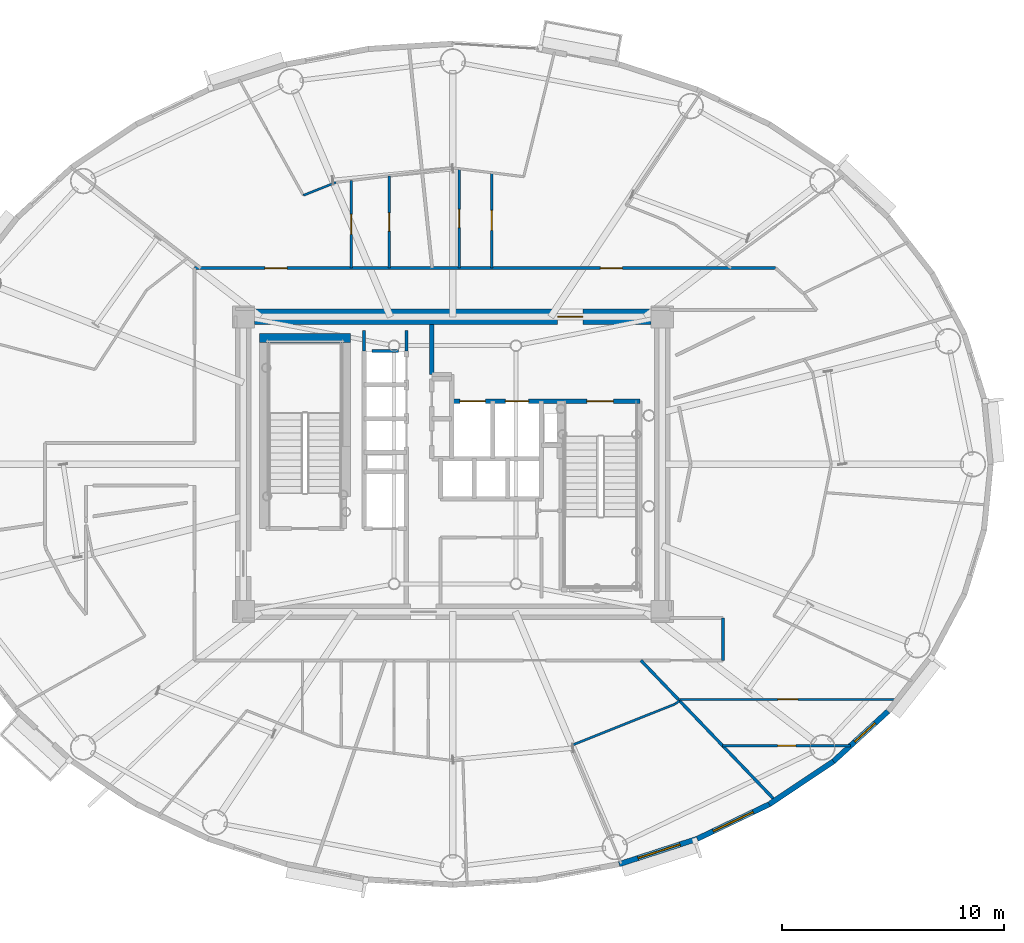
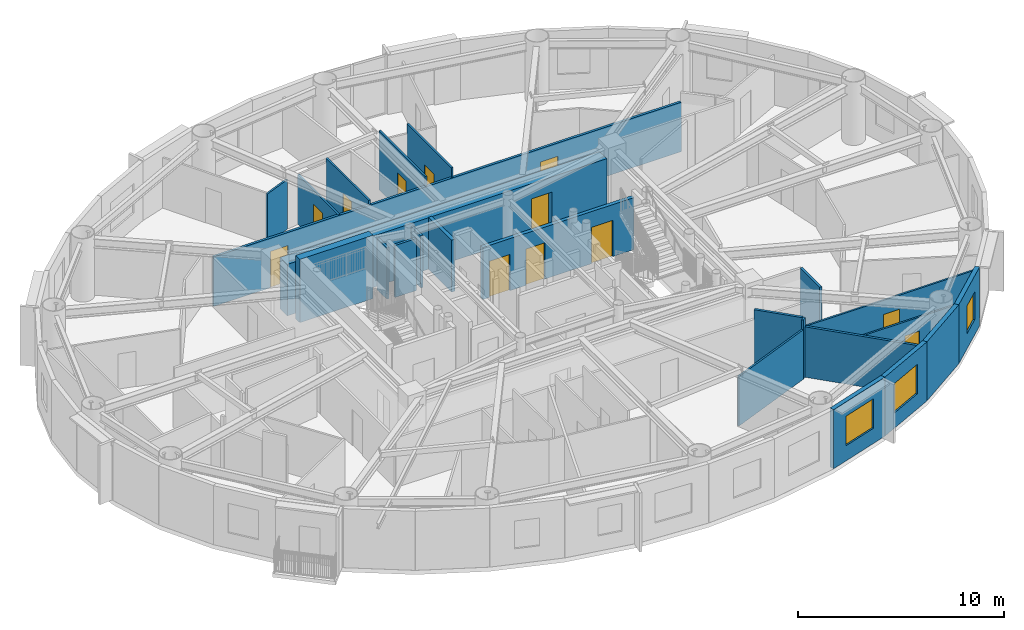
# One storey, part 11 of 20: 24 walls, 12 doors, 3 windows, 15 openings.
"""IFC4 building model written with IfcOpenShell, lengths in metres."""

from ifc_helpers import new_model, si_unit, direction, frame, frame_2d, origin, origin_2d, place, context, subcontext, project, spatial, rectangle, extrude, source, transform, mapped, material, layer, layer_set, type_object, element, fill, save


model = new_model("IFC4")

# Units and contexts
model_context = context("Model", 3, precision=1e-05, world=origin(), true_north=direction((0.0, 1.0)))
body_context = subcontext(model_context, "Body", "Model", "MODEL_VIEW")
ifc_project = project(units=[si_unit("LENGTHUNIT", "METRE"), si_unit("AREAUNIT", "SQUARE_METRE"), si_unit("VOLUMEUNIT", "CUBIC_METRE"), si_unit("PLANEANGLEUNIT", "RADIAN"), si_unit("MASSUNIT", "GRAM", prefix="KILO")], contexts=[model_context])

# Site, building, storey
site_placement = place(None, origin())
site = spatial("IfcSite", under=ifc_project, at=site_placement, CompositionType="ELEMENT")
building_placement = place(site_placement, origin())
building = spatial("IfcBuilding", under=site, at=building_placement, Name="Linh Dai School and Residence Tower", CompositionType="ELEMENT")
storey_placement = place(building_placement, frame((0.0, 0.0, 232.800048828125)))
storey = spatial("IfcBuildingStorey", under=building, at=storey_placement, Name="L57", CompositionType="ELEMENT", Elevation=232.800048828125)

# Wall, opening, window
ifc_material_1 = material(Name="Precast Concrete B45 (C35/45)", Category="concrete")
ifc_layer_1 = layer(ifc_material_1, 0.239990234375)
ifc_layer_set_1 = layer_set([ifc_layer_1], Name="Precast Concrete B45 (C35/45)")
wall_type_1 = type_object("IfcWallType", Name="EW-TC-240", PredefinedType="SOLIDWALL", material=ifc_layer_set_1)
wall_1_placement = place(storey_placement, frame((47.031005859375, 10.093505859375, 0.0), z_axis=(0.0, 0.0, 1.0), x_axis=(-0.951210789182, -0.308541787354, 0.0)))
wall_1 = element("IfcWall", 1, at=wall_1_placement, inside=storey, type_object=wall_type_1, Name="L57 Terracotta Exterior Wall 33", PredefinedType="SOLIDWALL", context=body_context, shape_type="SweptSolid", body=[
    extrude(rectangle(XDim=3.702392578125, YDim=0.239990234375, at=frame_2d((1.85107421875, 0.0))), origin(), (0.0, 0.0, 1.0), 3.5),
])
opening_1_placement = place(wall_1_placement, frame((0.81298828125, 0.0, 0.89990234375)))
opening_1 = element("IfcOpeningElement", 2, at=opening_1_placement, cuts=wall_1, Name="Opening W1", PredefinedType="OPENING", context=body_context, shape_type="SweptSolid", body=[
    extrude(rectangle(XDim=2.0, YDim=1.75, at=origin_2d()), frame((1.0, 0.1298828125, 0.875), z_axis=(0.0, -1.0, 0.0), x_axis=(1.0, 0.0, 0.0)), (0.0, 0.0, 1.0), 0.260009765625),
])
ifc_material_2 = material(Name="Double Low-E Insulated Glazing", Category="glass")
window_type_1 = type_object("IfcWindowType", Name="WN-RES-2000x1750", PartitioningType="DOUBLE_PANEL_VERTICAL", PredefinedType="WINDOW", material=ifc_material_2)
shared_shape_1 = source(origin(), body_context, "Body", "SweptSolid", [
    extrude(rectangle(XDim=2.0, YDim=1.75, at=origin_2d()), frame((1.0, 0.030029296875, 0.875), z_axis=(0.0, -1.0, 0.0), x_axis=(1.0, 0.0, 0.0)), (0.0, 0.0, 1.0), 0.06005859375),
])
window_1_placement = place(opening_1_placement, origin())
window_1 = element("IfcWindow", 3, at=window_1_placement, inside=storey, type_object=window_type_1, Name="L57 Exterior Window 33.1", OverallHeight=1.75, OverallWidth=2.0, PartitioningType="DOUBLE_PANEL_VERTICAL", PredefinedType="WINDOW", context=body_context, shape_type="MappedRepresentation", body=[
    mapped(shared_shape_1, transform((0.0, 0.0, 0.0), x_axis=(1.0, 0.0, 0.0), y_axis=(0.0, 1.0, 0.0), z_axis=(0.0, 0.0, 1.0), scale=1.0)),
])
fill(opening_1, window_1)

wall_2_placement = place(storey_placement, frame((50.280029296875, 11.65234375, 0.0), z_axis=(0.0, 0.0, 1.0), x_axis=(-0.901598104751, -0.432574684313, 0.0)))
wall_2 = element("IfcWall", 4, at=wall_2_placement, inside=storey, type_object=wall_type_1, Name="L57 Terracotta Exterior Wall 34", PredefinedType="SOLIDWALL", context=body_context, shape_type="SweptSolid", body=[
    extrude(rectangle(XDim=3.603515625, YDim=0.239990234375, at=frame_2d((1.8017578125, 0.0))), origin(), (0.0, 0.0, 1.0), 3.5),
])
opening_2_placement = place(wall_2_placement, frame((0.802001953125, 0.0, 0.89990234375)))
opening_2 = element("IfcOpeningElement", 5, at=opening_2_placement, cuts=wall_2, Name="Opening W1", PredefinedType="OPENING", context=body_context, shape_type="SweptSolid", body=[
    extrude(rectangle(XDim=2.0, YDim=1.75, at=origin_2d()), frame((1.0, 0.1298828125, 0.875), z_axis=(0.0, -1.0, 0.0), x_axis=(1.0, 0.0, 0.0)), (0.0, 0.0, 1.0), 0.260009765625),
])
window_2_placement = place(opening_2_placement, origin())
window_2 = element("IfcWindow", 6, at=window_2_placement, inside=storey, type_object=window_type_1, Name="L57 Exterior Window 34.1", OverallHeight=1.75, OverallWidth=2.0, PartitioningType="DOUBLE_PANEL_VERTICAL", PredefinedType="WINDOW", context=body_context, shape_type="MappedRepresentation", body=[
    mapped(shared_shape_1, transform((0.0, 0.0, 0.0), x_axis=(1.0, 0.0, 0.0), y_axis=(0.0, 1.0, 0.0), z_axis=(0.0, 0.0, 1.0), scale=1.0)),
])
fill(opening_2, window_2)

# Wall
wall_3_placement = place(storey_placement, frame((53.17626953125, 13.589111328125, 0.0), z_axis=(0.0, 0.0, 1.0), x_axis=(-0.831262496074, -0.555880079352, 0.0)))
element("IfcWall", 7, at=wall_3_placement, inside=storey, type_object=wall_type_1, Name="L57 Terracotta Exterior Wall 35", PredefinedType="SOLIDWALL", context=body_context, shape_type="SweptSolid", body=[
    extrude(rectangle(XDim=3.484130859375, YDim=0.239990234375, at=frame_2d((1.7421875, 0.0))), origin(), (0.0, 0.0, 1.0), 3.5),
])

# Wall, opening, window
wall_4_placement = place(storey_placement, frame((55.6484375, 15.85546875, 0.0), z_axis=(0.0, 0.0, 1.0), x_axis=(-0.737123922599, -0.675757591694, 0.0)))
wall_4 = element("IfcWall", 8, at=wall_4_placement, inside=storey, type_object=wall_type_1, Name="L57 Terracotta Exterior Wall 36", PredefinedType="SOLIDWALL", context=body_context, shape_type="SweptSolid", body=[
    extrude(rectangle(XDim=3.353759765625, YDim=0.239990234375, at=frame_2d((1.6767578125, 0.0))), origin(), (0.0, 0.0, 1.0), 3.5),
])
opening_3_placement = place(wall_4_placement, frame((0.791259765625, 0.0, 0.89990234375)))
opening_3 = element("IfcOpeningElement", 9, at=opening_3_placement, cuts=wall_4, Name="Opening W3", PredefinedType="OPENING", context=body_context, shape_type="SweptSolid", body=[
    extrude(rectangle(XDim=1.25, YDim=1.64990234375, at=origin_2d()), frame((0.625, 0.1298828125, 0.824951171875), z_axis=(0.0, -1.0, 0.0), x_axis=(1.0, 0.0, 0.0)), (0.0, 0.0, 1.0), 0.260009765625),
])
window_type_2 = type_object("IfcWindowType", Name="WN-RES-1250x1650", PartitioningType="SINGLE_PANEL", PredefinedType="WINDOW", material=ifc_material_2)
shared_shape_2 = source(origin(), body_context, "Body", "SweptSolid", [
    extrude(rectangle(XDim=1.25, YDim=1.64990234375, at=origin_2d()), frame((0.625, 0.030029296875, 0.824951171875), z_axis=(0.0, -1.0, 0.0), x_axis=(1.0, 0.0, 0.0)), (0.0, 0.0, 1.0), 0.06005859375),
])
window_3_placement = place(opening_3_placement, origin())
window_3 = element("IfcWindow", 10, at=window_3_placement, inside=storey, type_object=window_type_2, Name="L57 Exterior Window 36.1", OverallHeight=1.64990234375, OverallWidth=1.25, PartitioningType="SINGLE_PANEL", PredefinedType="WINDOW", context=body_context, shape_type="MappedRepresentation", body=[
    mapped(shared_shape_2, transform((0.0, 0.0, 0.0), x_axis=(1.0, 0.0, 0.0), y_axis=(0.0, 1.0, 0.0), z_axis=(0.0, 0.0, 1.0), scale=1.0)),
])
fill(opening_3, window_3)

# Wall, openings, doors
ifc_material_3 = material(Name="Autoclaved Aerated Concrete Blockwork", Category="masonry")
ifc_layer_2 = layer(ifc_material_3, 0.135009765625)
ifc_layer_set_2 = layer_set([ifc_layer_2], Name="Autoclaved Aerated Concrete Blockwork")
wall_type_2 = type_object("IfcWallType", Name="IW-CORR-135-EI90", PredefinedType="PARTITIONING", material=ifc_layer_set_2)
wall_5_placement = place(storey_placement, frame((24.35009765625, 35.85009765625, 0.0), z_axis=(0.0, 0.0, 1.0), x_axis=(1.0, 0.0, 0.0)))
wall_5 = element("IfcWall", 11, at=wall_5_placement, inside=storey, type_object=wall_type_2, Name="L57 Interior Partition Wall 023", PredefinedType="PARTITIONING", context=body_context, shape_type="SweptSolid", body=[
    extrude(rectangle(XDim=26.2177734375, YDim=0.135009765625, at=frame_2d((13.10888671875, 0.0))), origin(), (0.0, 0.0, 1.0), 2.93505859375),
])
opening_4_placement = place(wall_5_placement, frame((3.171630859375, 0.0, 0.0)))
opening_4 = element("IfcOpeningElement", 12, at=opening_4_placement, cuts=wall_5, Name="Opening D03", PredefinedType="OPENING", context=body_context, shape_type="SweptSolid", body=[
    extrude(rectangle(XDim=1.0, YDim=2.14990234375, at=origin_2d()), frame((0.5, 0.07763671875, 1.074951171875), z_axis=(0.0, -1.0, 0.0), x_axis=(1.0, 0.0, 0.0)), (0.0, 0.0, 1.0), 0.155029296875),
])
opening_5_placement = place(wall_5_placement, frame((18.30615234375, 0.0, 0.0)))
opening_5 = element("IfcOpeningElement", 13, at=opening_5_placement, cuts=wall_5, Name="Opening D03", PredefinedType="OPENING", context=body_context, shape_type="SweptSolid", body=[
    extrude(rectangle(XDim=1.0, YDim=2.14990234375, at=origin_2d()), frame((0.5, 0.07763671875, 1.074951171875), z_axis=(0.0, -1.0, 0.0), x_axis=(1.0, 0.0, 0.0)), (0.0, 0.0, 1.0), 0.155029296875),
])
ifc_material_4 = material(Name="Fire-Rated Solid Timber Entrance Door", Category="wood")
door_type_1 = type_object("IfcDoorType", Name="DR-FLAT-1000x2150-FD60S", OperationType="NOTDEFINED", PredefinedType="DOOR", material=ifc_material_4)
shared_shape_3 = source(origin(), body_context, "Body", "SweptSolid", [
    extrude(rectangle(XDim=1.0, YDim=2.14990234375, at=origin_2d()), frame((0.5, 0.02490234375, 1.074951171875), z_axis=(0.0, -1.0, 0.0), x_axis=(1.0, 0.0, 0.0)), (0.0, 0.0, 1.0), 0.050048828125),
])
door_1_placement = place(opening_4_placement, origin())
door_1 = element("IfcDoor", 14, at=door_1_placement, inside=storey, type_object=door_type_1, Name="L57 U5701 Apartment Entrance Door", OperationType="SINGLE_SWING_RIGHT", OverallHeight=2.14990234375, OverallWidth=1.0, PredefinedType="DOOR", context=body_context, shape_type="MappedRepresentation", body=[
    mapped(shared_shape_3, transform((0.0, 0.0, 0.0), x_axis=(1.0, 0.0, 0.0), y_axis=(0.0, 1.0, 0.0), z_axis=(0.0, 0.0, 1.0), scale=1.0)),
])
fill(opening_4, door_1)
door_2_placement = place(opening_5_placement, origin())
door_2 = element("IfcDoor", 15, at=door_2_placement, inside=storey, type_object=door_type_1, Name="L57 U5706 Apartment Entrance Door", OperationType="SINGLE_SWING_LEFT", OverallHeight=2.14990234375, OverallWidth=1.0, PredefinedType="DOOR", context=body_context, shape_type="MappedRepresentation", body=[
    mapped(shared_shape_3, transform((0.0, 0.0, 0.0), x_axis=(1.0, 0.0, 0.0), y_axis=(0.0, 1.0, 0.0), z_axis=(0.0, 0.0, 1.0), scale=1.0)),
])
fill(opening_5, door_2)

# Walls
wall_6_placement = place(storey_placement, frame((44.48486328125, 18.14990234375, 0.0), z_axis=(0.0, 0.0, 1.0), x_axis=(0.692102956666, -0.72179879286, 0.0)))
element("IfcWall", 16, at=wall_6_placement, inside=storey, type_object=wall_type_2, Name="L57 Interior Partition Wall 078", PredefinedType="PARTITIONING", context=body_context, shape_type="SweptSolid", body=[
    extrude(rectangle(XDim=2.441650390625, YDim=0.135009765625, at=frame_2d((1.220703125, 0.0))), origin(), (0.0, 0.0, 1.0), 3.5),
])
wall_7_placement = place(storey_placement, frame((46.22998046875, 16.329833984375, 0.0), z_axis=(0.0, 0.0, 1.0), x_axis=(0.69206255942, -0.721837525935, 0.0)))
element("IfcWall", 17, at=wall_7_placement, inside=storey, type_object=wall_type_2, Name="L57 Interior Partition Wall 084", PredefinedType="PARTITIONING", context=body_context, shape_type="SweptSolid", body=[
    extrude(rectangle(XDim=6.23974609375, YDim=0.135009765625, at=frame_2d((3.119873046875, 0.0))), origin(), (0.0, 0.0, 1.0), 2.98486328125),
])
wall_8_placement = place(storey_placement, frame((48.199951171875, 18.14990234375, 0.0), z_axis=(0.0, 0.0, 1.0), x_axis=(0.0, 1.0, 0.0)))
element("IfcWall", 18, at=wall_8_placement, inside=storey, type_object=wall_type_2, Name="L57 Interior Partition Wall 086", PredefinedType="PARTITIONING", context=body_context, shape_type="SweptSolid", body=[
    extrude(rectangle(XDim=1.900146484375, YDim=0.135009765625, at=frame_2d((0.9501953125, 0.0))), origin(), (0.0, 0.0, 1.0), 3.5),
])
wall_9_placement = place(storey_placement, frame((32.360107421875, 32.10009765625, 0.0), z_axis=(0.0, 0.0, 1.0), x_axis=(1.0, 0.0, 0.0)))
element("IfcWall", 19, at=wall_9_placement, inside=storey, type_object=wall_type_2, Name="L57 Interior Partition Wall 099", PredefinedType="PARTITIONING", context=body_context, shape_type="SweptSolid", body=[
    extrude(rectangle(XDim=1.179931640625, YDim=0.135009765625, at=frame_2d((0.58984375, 0.0))), origin(), (0.0, 0.0, 1.0), 3.0849609375),
])
wall_10_placement = place(storey_placement, frame((32.0, 33.0400390625, 0.0), z_axis=(0.0, 0.0, 1.0), x_axis=(0.0, -1.0, 0.0)))
element("IfcWall", 20, at=wall_10_placement, inside=storey, type_object=wall_type_2, Name="L57 Interior Partition Wall 101", PredefinedType="PARTITIONING", context=body_context, shape_type="SweptSolid", body=[
    extrude(rectangle(XDim=0.929931640625, YDim=0.135009765625, at=frame_2d((0.46484375, 0.0))), origin(), (0.0, 0.0, 1.0), 3.034912109375),
])
wall_11_placement = place(storey_placement, frame((33.89990234375, 32.110107421875, 0.0), z_axis=(0.0, 0.0, 1.0), x_axis=(0.0, 1.0, 0.0)))
element("IfcWall", 21, at=wall_11_placement, inside=storey, type_object=wall_type_2, Name="L57 Interior Partition Wall 103", PredefinedType="PARTITIONING", context=body_context, shape_type="SweptSolid", body=[
    extrude(rectangle(XDim=0.929931640625, YDim=0.135009765625, at=frame_2d((0.46484375, 0.0))), origin(), (0.0, 0.0, 1.0), 3.0849609375),
])
ifc_material_5 = material(Name="Concrete B45 (C35/45)", Category="concrete")
ifc_layer_3 = layer(ifc_material_5, 0.199951171875)
ifc_layer_set_3 = layer_set([ifc_layer_3], Name="Concrete B45 (C35/45)")
wall_type_3 = type_object("IfcWallType", Name="IW-SHAFT-200-EI120", PredefinedType="PARTITIONING", material=ifc_layer_set_3)
wall_12_placement = place(storey_placement, frame((35.050048828125, 31.050048828125, 0.0), z_axis=(0.0, 0.0, 1.0), x_axis=(0.0, 1.0, 0.0)))
element("IfcWall", 22, at=wall_12_placement, inside=storey, type_object=wall_type_3, Name="L57 Interior Partition Wall 050", PredefinedType="PARTITIONING", context=body_context, shape_type="SweptSolid", body=[
    extrude(rectangle(XDim=2.25, YDim=0.199951171875, at=frame_2d((1.125, 0.0))), origin(), (0.0, 0.0, 1.0), 3.0849609375),
])

# Wall, openings, doors
wall_13_placement = place(storey_placement, frame((35.949951171875, 29.85009765625, 0.0), z_axis=(0.0, 0.0, 1.0), x_axis=(1.0, 0.0, 0.0)))
wall_13 = element("IfcWall", 23, at=wall_13_placement, inside=storey, type_object=wall_type_3, Name="L57 Interior Partition Wall 057", PredefinedType="PARTITIONING", context=body_context, shape_type="SweptSolid", body=[
    extrude(rectangle(XDim=8.489990234375, YDim=0.199951171875, at=frame_2d((4.2451171875, 0.0))), origin(), (0.0, 0.0, 1.0), 3.0849609375),
])
opening_6_placement = place(wall_13_placement, frame((6.10009765625, 0.0, 0.0)))
opening_6 = element("IfcOpeningElement", 24, at=opening_6_placement, cuts=wall_13, Name="Opening D01", PredefinedType="OPENING", context=body_context, shape_type="SweptSolid", body=[
    extrude(rectangle(XDim=1.199951171875, YDim=2.14990234375, at=origin_2d()), frame((0.60009765625, 0.10986328125, 1.074951171875), z_axis=(0.0, -1.0, 0.0), x_axis=(1.0, 0.0, 0.0)), (0.0, 0.0, 1.0), 0.219970703125),
])
opening_7_placement = place(wall_13_placement, frame((0.3701171875, 0.0, 0.0)))
opening_7 = element("IfcOpeningElement", 25, at=opening_7_placement, cuts=wall_13, Name="Opening LD-FF1", PredefinedType="OPENING", context=body_context, shape_type="SweptSolid", body=[
    extrude(rectangle(XDim=1.14990234375, YDim=2.14990234375, at=origin_2d()), frame((0.574951171875, 0.10986328125, 1.074951171875), z_axis=(0.0, -1.0, 0.0), x_axis=(1.0, 0.0, 0.0)), (0.0, 0.0, 1.0), 0.219970703125),
])
opening_8_placement = place(wall_13_placement, frame((2.425048828125, 0.0, 0.0)))
opening_8 = element("IfcOpeningElement", 26, at=opening_8_placement, cuts=wall_13, Name="Opening LD-SV1", PredefinedType="OPENING", context=body_context, shape_type="SweptSolid", body=[
    extrude(rectangle(XDim=1.050048828125, YDim=2.14990234375, at=origin_2d()), frame((0.52490234375, 0.10986328125, 1.074951171875), z_axis=(0.0, -1.0, 0.0), x_axis=(1.0, 0.0, 0.0)), (0.0, 0.0, 1.0), 0.219970703125),
])
ifc_material_6 = material(Name="Fire-Rated Steel Door Leaf", Category="steel")
door_type_2 = type_object("IfcDoorType", Name="DR-STAIR-1200x2150-FD90S", OperationType="NOTDEFINED", PredefinedType="DOOR", material=ifc_material_6)
shared_shape_4 = source(origin(), body_context, "Body", "SweptSolid", [
    extrude(rectangle(XDim=1.199951171875, YDim=2.14990234375, at=origin_2d()), frame((0.60009765625, 0.02490234375, 1.074951171875), z_axis=(0.0, -1.0, 0.0), x_axis=(1.0, 0.0, 0.0)), (0.0, 0.0, 1.0), 0.050048828125),
])
door_3_placement = place(opening_6_placement, origin())
door_3 = element("IfcDoor", 27, at=door_3_placement, inside=storey, type_object=door_type_2, Name="L57 Core Smokeproof Exit Stair ST2 Door", OperationType="SINGLE_SWING_LEFT", OverallHeight=2.14990234375, OverallWidth=1.199951171875, PredefinedType="DOOR", context=body_context, shape_type="MappedRepresentation", body=[
    mapped(shared_shape_4, transform((0.0, 0.0, 0.0), x_axis=(1.0, 0.0, 0.0), y_axis=(0.0, 1.0, 0.0), z_axis=(0.0, 0.0, 1.0), scale=1.0)),
])
fill(opening_6, door_3)
ifc_material_7 = material(Name="Fire-Rated Stainless Steel Firefighting Lift Door", Category="steel")
door_type_3 = type_object("IfcDoorType", Name="DR-LD-FF-1150x2150-FD120", OperationType="DOUBLE_DOOR_SLIDING", PredefinedType="USERDEFINED", material=ifc_material_7)
shared_shape_5 = source(origin(), body_context, "Body", "SweptSolid", [
    extrude(rectangle(XDim=1.14990234375, YDim=2.14990234375, at=origin_2d()), frame((0.574951171875, 0.02490234375, 1.074951171875), z_axis=(0.0, -1.0, 0.0), x_axis=(1.0, 0.0, 0.0)), (0.0, 0.0, 1.0), 0.050048828125),
])
door_4_placement = place(opening_7_placement, origin())
door_4 = element("IfcDoor", 28, at=door_4_placement, inside=storey, type_object=door_type_3, Name="L57 Lift FF1 Sliding Landing Door", ObjectType="LANDING DOOR", OperationType="DOUBLE_DOOR_SLIDING", OverallHeight=2.14990234375, OverallWidth=1.14990234375, PredefinedType="USERDEFINED", context=body_context, shape_type="MappedRepresentation", body=[
    mapped(shared_shape_5, transform((0.0, 0.0, 0.0), x_axis=(1.0, 0.0, 0.0), y_axis=(0.0, 1.0, 0.0), z_axis=(0.0, 0.0, 1.0), scale=1.0)),
])
fill(opening_7, door_4)
ifc_material_8 = material(Name="Brushed Stainless Steel Lift Landing Door", Category="steel")
door_type_4 = type_object("IfcDoorType", Name="DR-LD-PASS-1050x2150", OperationType="DOUBLE_DOOR_SLIDING", PredefinedType="USERDEFINED", material=ifc_material_8)
shared_shape_6 = source(origin(), body_context, "Body", "SweptSolid", [
    extrude(rectangle(XDim=1.050048828125, YDim=2.14990234375, at=origin_2d()), frame((0.52490234375, 0.02490234375, 1.074951171875), z_axis=(0.0, -1.0, 0.0), x_axis=(1.0, 0.0, 0.0)), (0.0, 0.0, 1.0), 0.050048828125),
])
door_5_placement = place(opening_8_placement, origin())
door_5 = element("IfcDoor", 29, at=door_5_placement, inside=storey, type_object=door_type_4, Name="L57 Lift SV1 Sliding Landing Door", ObjectType="LANDING DOOR", OperationType="DOUBLE_DOOR_SLIDING", OverallHeight=2.14990234375, OverallWidth=1.050048828125, PredefinedType="USERDEFINED", context=body_context, shape_type="MappedRepresentation", body=[
    mapped(shared_shape_6, transform((0.0, 0.0, 0.0), x_axis=(1.0, 0.0, 0.0), y_axis=(0.0, 1.0, 0.0), z_axis=(0.0, 0.0, 1.0), scale=1.0)),
])
fill(opening_8, door_5)

# Wall
ifc_material_9 = material(Name="Gypsum Plasterboard Acoustic Stud Partition", Category="masonry")
ifc_layer_4 = layer(ifc_material_9, 0.10009765625)
ifc_layer_set_4 = layer_set([ifc_layer_4], Name="Gypsum Plasterboard Acoustic Stud Partition")
wall_type_4 = type_object("IfcWallType", Name="IW-UNIT-100", PredefinedType="PARTITIONING", material=ifc_layer_set_4)
wall_14_placement = place(storey_placement, frame((29.257080078125, 39.134521484375, 0.0), z_axis=(0.0, 0.0, 1.0), x_axis=(0.928796620339, 0.370589851515, 0.0)))
element("IfcWall", 30, at=wall_14_placement, inside=storey, type_object=wall_type_4, Name="L57 Interior Partition Wall 028", PredefinedType="PARTITIONING", context=body_context, shape_type="SweptSolid", body=[
    extrude(rectangle(XDim=1.5771484375, YDim=0.10009765625, at=frame_2d((0.78857421875, 0.0))), origin(), (0.0, 0.0, 1.0), 2.93505859375),
])

# Wall, opening, door
wall_15_placement = place(storey_placement, frame((31.42041015625, 35.85009765625, 0.0), z_axis=(0.0, 0.0, 1.0), x_axis=(0.0, 1.0, 0.0)))
wall_15 = element("IfcWall", 31, at=wall_15_placement, inside=storey, type_object=wall_type_4, Name="L57 Interior Partition Wall 034", PredefinedType="PARTITIONING", context=body_context, shape_type="SweptSolid", body=[
    extrude(rectangle(XDim=3.95556640625, YDim=0.10009765625, at=frame_2d((1.977783203125, 0.0))), origin(), (0.0, 0.0, 1.0), 2.93505859375),
])
opening_9_placement = place(wall_15_placement, frame((1.52783203125, 0.0, 0.0)))
opening_9 = element("IfcOpeningElement", 32, at=opening_9_placement, cuts=wall_15, Name="Opening D05", PredefinedType="OPENING", context=body_context, shape_type="SweptSolid", body=[
    extrude(rectangle(XDim=0.89990234375, YDim=2.10009765625, at=origin_2d()), frame((0.449951171875, 0.06005859375, 1.050048828125), z_axis=(0.0, -1.0, 0.0), x_axis=(1.0, 0.0, 0.0)), (0.0, 0.0, 1.0), 0.1201171875),
])
ifc_material_10 = material(Name="Engineered Timber Internal Door", Category="wood")
door_type_5 = type_object("IfcDoorType", Name="DR-INT-900x2100", OperationType="NOTDEFINED", PredefinedType="DOOR", material=ifc_material_10)
shared_shape_7 = source(origin(), body_context, "Body", "SweptSolid", [
    extrude(rectangle(XDim=0.89990234375, YDim=2.10009765625, at=origin_2d()), frame((0.449951171875, 0.02490234375, 1.050048828125), z_axis=(0.0, -1.0, 0.0), x_axis=(1.0, 0.0, 0.0)), (0.0, 0.0, 1.0), 0.050048828125),
])
door_6_placement = place(opening_9_placement, origin())
door_6 = element("IfcDoor", 33, at=door_6_placement, inside=storey, type_object=door_type_5, Name="L57 Apartment U5701 Kitchen Door", OperationType="SINGLE_SWING_RIGHT", OverallHeight=2.10009765625, OverallWidth=0.89990234375, PredefinedType="DOOR", context=body_context, shape_type="MappedRepresentation", body=[
    mapped(shared_shape_7, transform((0.0, 0.0, 0.0), x_axis=(1.0, 0.0, 0.0), y_axis=(0.0, 1.0, 0.0), z_axis=(0.0, 0.0, 1.0), scale=1.0)),
])
fill(opening_9, door_6)

wall_16_placement = place(storey_placement, frame((33.128662109375, 35.85009765625, 0.0), z_axis=(0.0, 0.0, 1.0), x_axis=(0.0, 1.0, 0.0)))
wall_16 = element("IfcWall", 34, at=wall_16_placement, inside=storey, type_object=wall_type_4, Name="L57 Interior Partition Wall 041", PredefinedType="PARTITIONING", context=body_context, shape_type="SweptSolid", body=[
    extrude(rectangle(XDim=4.167236328125, YDim=0.10009765625, at=frame_2d((2.08349609375, 0.0))), origin(), (0.0, 0.0, 1.0), 3.18505859375),
])
opening_10_placement = place(wall_16_placement, frame((1.673583984375, 0.0, 0.0)))
opening_10 = element("IfcOpeningElement", 35, at=opening_10_placement, cuts=wall_16, Name="Opening D06", PredefinedType="OPENING", context=body_context, shape_type="SweptSolid", body=[
    extrude(rectangle(XDim=0.820068359375, YDim=2.10009765625, at=origin_2d()), frame((0.41015625, 0.06005859375, 1.050048828125), z_axis=(0.0, -1.0, 0.0), x_axis=(1.0, 0.0, 0.0)), (0.0, 0.0, 1.0), 0.1201171875),
])
ifc_material_11 = material(Name="Moisture-Resistant Timber Bathroom Door", Category="wood")
door_type_6 = type_object("IfcDoorType", Name="DR-WET-820x2100", OperationType="NOTDEFINED", PredefinedType="DOOR", material=ifc_material_11)
shared_shape_8 = source(origin(), body_context, "Body", "SweptSolid", [
    extrude(rectangle(XDim=0.820068359375, YDim=2.10009765625, at=origin_2d()), frame((0.41015625, 0.02490234375, 1.050048828125), z_axis=(0.0, -1.0, 0.0), x_axis=(1.0, 0.0, 0.0)), (0.0, 0.0, 1.0), 0.050048828125),
])
door_7_placement = place(opening_10_placement, origin())
door_7 = element("IfcDoor", 36, at=door_7_placement, inside=storey, type_object=door_type_6, Name="L57 Apartment U5701 Bathroom 1 Door", OperationType="SINGLE_SWING_LEFT", OverallHeight=2.10009765625, OverallWidth=0.820068359375, PredefinedType="DOOR", context=body_context, shape_type="MappedRepresentation", body=[
    mapped(shared_shape_8, transform((0.0, 0.0, 0.0), x_axis=(1.0, 0.0, 0.0), y_axis=(0.0, 1.0, 0.0), z_axis=(0.0, 0.0, 1.0), scale=1.0)),
])
fill(opening_10, door_7)

wall_17_placement = place(storey_placement, frame((36.28564453125, 35.85009765625, 0.0), z_axis=(0.0, 0.0, 1.0), x_axis=(0.0, 1.0, 0.0)))
wall_17 = element("IfcWall", 37, at=wall_17_placement, inside=storey, type_object=wall_type_4, Name="L57 Interior Partition Wall 060", PredefinedType="PARTITIONING", context=body_context, shape_type="SweptSolid", body=[
    extrude(rectangle(XDim=4.488037109375, YDim=0.10009765625, at=frame_2d((2.244140625, 0.0))), origin(), (0.0, 0.0, 1.0), 3.5),
])
opening_11_placement = place(wall_17_placement, frame((1.833984375, 0.0, 0.0)))
opening_11 = element("IfcOpeningElement", 38, at=opening_11_placement, cuts=wall_17, Name="Opening D06", PredefinedType="OPENING", context=body_context, shape_type="SweptSolid", body=[
    extrude(rectangle(XDim=0.820068359375, YDim=2.10009765625, at=origin_2d()), frame((0.41015625, 0.06005859375, 1.050048828125), z_axis=(0.0, -1.0, 0.0), x_axis=(1.0, 0.0, 0.0)), (0.0, 0.0, 1.0), 0.1201171875),
])
door_8_placement = place(opening_11_placement, origin())
door_8 = element("IfcDoor", 39, at=door_8_placement, inside=storey, type_object=door_type_6, Name="L57 Apartment U5706 Bathroom 1 Door", OperationType="SINGLE_SWING_RIGHT", OverallHeight=2.10009765625, OverallWidth=0.820068359375, PredefinedType="DOOR", context=body_context, shape_type="MappedRepresentation", body=[
    mapped(shared_shape_8, transform((0.0, 0.0, 0.0), x_axis=(1.0, 0.0, 0.0), y_axis=(0.0, 1.0, 0.0), z_axis=(0.0, 0.0, 1.0), scale=1.0)),
])
fill(opening_11, door_8)

wall_18_placement = place(storey_placement, frame((37.7578125, 35.85009765625, 0.0), z_axis=(0.0, 0.0, 1.0), x_axis=(0.0, 1.0, 0.0)))
wall_18 = element("IfcWall", 40, at=wall_18_placement, inside=storey, type_object=wall_type_4, Name="L57 Interior Partition Wall 063", PredefinedType="PARTITIONING", context=body_context, shape_type="SweptSolid", body=[
    extrude(rectangle(XDim=4.305419921875, YDim=0.10009765625, at=frame_2d((2.15283203125, 0.0))), origin(), (0.0, 0.0, 1.0), 3.5),
])
opening_12_placement = place(wall_18_placement, frame((1.702880859375, 0.0, 0.0)))
opening_12 = element("IfcOpeningElement", 41, at=opening_12_placement, cuts=wall_18, Name="Opening D05", PredefinedType="OPENING", context=body_context, shape_type="SweptSolid", body=[
    extrude(rectangle(XDim=0.89990234375, YDim=2.10009765625, at=origin_2d()), frame((0.449951171875, 0.06005859375, 1.050048828125), z_axis=(0.0, -1.0, 0.0), x_axis=(1.0, 0.0, 0.0)), (0.0, 0.0, 1.0), 0.1201171875),
])
door_9_placement = place(opening_12_placement, origin())
door_9 = element("IfcDoor", 42, at=door_9_placement, inside=storey, type_object=door_type_5, Name="L57 Apartment U5706 Kitchen Door", OperationType="SINGLE_SWING_RIGHT", OverallHeight=2.10009765625, OverallWidth=0.89990234375, PredefinedType="DOOR", context=body_context, shape_type="MappedRepresentation", body=[
    mapped(shared_shape_7, transform((0.0, 0.0, 0.0), x_axis=(1.0, 0.0, 0.0), y_axis=(0.0, 1.0, 0.0), z_axis=(0.0, 0.0, 1.0), scale=1.0)),
])
fill(opening_12, door_9)

# Walls
wall_19_placement = place(storey_placement, frame((41.35205078125, 14.310546875, 0.0), z_axis=(0.0, 0.0, 1.0), x_axis=(0.928803297531, 0.370573116261, 0.0)))
element("IfcWall", 43, at=wall_19_placement, inside=storey, type_object=wall_type_4, Name="L57 Interior Partition Wall 074", PredefinedType="PARTITIONING", context=body_context, shape_type="SweptSolid", body=[
    extrude(rectangle(XDim=5.046630859375, YDim=0.10009765625, at=frame_2d((2.5234375, 0.0))), origin(), (0.0, 0.0, 1.0), 2.93505859375),
])
wall_20_placement = place(storey_placement, frame((46.039306640625, 16.1806640625, 0.0), z_axis=(0.0, 0.0, 1.0), x_axis=(0.787611392409, 0.616172292909, 0.0)))
element("IfcWall", 44, at=wall_20_placement, inside=storey, type_object=wall_type_4, Name="L57 Interior Partition Wall 081", PredefinedType="PARTITIONING", context=body_context, shape_type="SweptSolid", body=[
    extrude(rectangle(XDim=0.2421875, YDim=0.10009765625, at=frame_2d((0.12109375, 0.0))), origin(), (0.0, 0.0, 1.0), 3.5),
])

# Wall, opening, door
wall_21_placement = place(storey_placement, frame((46.1748046875, 16.387451171875, 0.0), z_axis=(0.0, 0.0, 1.0), x_axis=(1.0, 0.0, 0.0)))
wall_21 = element("IfcWall", 45, at=wall_21_placement, inside=storey, type_object=wall_type_4, Name="L57 Interior Partition Wall 083", PredefinedType="PARTITIONING", context=body_context, shape_type="SweptSolid", body=[
    extrude(rectangle(XDim=9.896240234375, YDim=0.10009765625, at=frame_2d((4.9482421875, 0.0))), origin(), (0.0, 0.0, 1.0), 2.93505859375),
])
opening_13_placement = place(wall_21_placement, frame((4.498046875, 0.0, 0.0)))
opening_13 = element("IfcOpeningElement", 46, at=opening_13_placement, cuts=wall_21, Name="Opening D05", PredefinedType="OPENING", context=body_context, shape_type="SweptSolid", body=[
    extrude(rectangle(XDim=0.89990234375, YDim=2.10009765625, at=origin_2d()), frame((0.449951171875, 0.06005859375, 1.050048828125), z_axis=(0.0, -1.0, 0.0), x_axis=(1.0, 0.0, 0.0)), (0.0, 0.0, 1.0), 0.1201171875),
])
door_10_placement = place(opening_13_placement, origin())
door_10 = element("IfcDoor", 47, at=door_10_placement, inside=storey, type_object=door_type_5, Name="L57 Apartment U5705 Kitchen Door", OperationType="SINGLE_SWING_LEFT", OverallHeight=2.10009765625, OverallWidth=0.89990234375, PredefinedType="DOOR", context=body_context, shape_type="MappedRepresentation", body=[
    mapped(shared_shape_7, transform((0.0, 0.0, 0.0), x_axis=(1.0, 0.0, 0.0), y_axis=(0.0, 1.0, 0.0), z_axis=(0.0, 0.0, 1.0), scale=1.0)),
])
fill(opening_13, door_10)

wall_22_placement = place(storey_placement, frame((48.179443359375, 14.296630859375, 0.0), z_axis=(0.0, 0.0, 1.0), x_axis=(1.0, 0.0, 0.0)))
wall_22 = element("IfcWall", 48, at=wall_22_placement, inside=storey, type_object=wall_type_4, Name="L57 Interior Partition Wall 085", PredefinedType="PARTITIONING", context=body_context, shape_type="SweptSolid", body=[
    extrude(rectangle(XDim=5.77587890625, YDim=0.10009765625, at=frame_2d((2.887939453125, 0.0))), origin(), (0.0, 0.0, 1.0), 2.93505859375),
])
opening_14_placement = place(wall_22_placement, frame((2.47802734375, 0.0, 0.0)))
opening_14 = element("IfcOpeningElement", 49, at=opening_14_placement, cuts=wall_22, Name="Opening D06", PredefinedType="OPENING", context=body_context, shape_type="SweptSolid", body=[
    extrude(rectangle(XDim=0.820068359375, YDim=2.10009765625, at=origin_2d()), frame((0.41015625, 0.06005859375, 1.050048828125), z_axis=(0.0, -1.0, 0.0), x_axis=(1.0, 0.0, 0.0)), (0.0, 0.0, 1.0), 0.1201171875),
])
door_11_placement = place(opening_14_placement, origin())
door_11 = element("IfcDoor", 50, at=door_11_placement, inside=storey, type_object=door_type_6, Name="L57 Apartment U5705 Bathroom 1 Door", OperationType="SINGLE_SWING_RIGHT", OverallHeight=2.10009765625, OverallWidth=0.820068359375, PredefinedType="DOOR", context=body_context, shape_type="MappedRepresentation", body=[
    mapped(shared_shape_8, transform((0.0, 0.0, 0.0), x_axis=(1.0, 0.0, 0.0), y_axis=(0.0, 1.0, 0.0), z_axis=(0.0, 0.0, 1.0), scale=1.0)),
])
fill(opening_14, door_11)

# Wall
ifc_layer_5 = layer(ifc_material_5, 0.39990234375)
ifc_layer_set_5 = layer_set([ifc_layer_5], Name="Concrete B45 (C35/45)")
wall_type_5 = type_object("IfcWallType", Name="WL-CORE400", PredefinedType="SHEAR", material=ifc_layer_set_5)
wall_23_placement = place(storey_placement, frame((27.280029296875, 32.699951171875, 0.0), z_axis=(0.0, 0.0, 1.0), x_axis=(1.0, 0.0, 0.0)))
element("IfcWall", 51, at=wall_23_placement, inside=storey, type_object=wall_type_5, Name="L57 Core Stair ST1 Bearing Wall N", PredefinedType="SHEAR", context=body_context, shape_type="SweptSolid", body=[
    extrude(rectangle(XDim=4.099853515625, YDim=0.39990234375, at=frame_2d((2.0498046875, 0.0))), origin(), (0.0, 0.0, 1.0), 3.75),
])

# Wall, opening, door
ifc_layer_6 = layer(ifc_material_5, 0.699951171875)
ifc_layer_set_6 = layer_set([ifc_layer_6], Name="Concrete B45 (C35/45)")
wall_type_6 = type_object("IfcWallType", Name="WL-CORE700", PredefinedType="SHEAR", material=ifc_layer_set_6)
wall_24_placement = place(storey_placement, frame((27.050048828125, 33.64990234375, 0.0), z_axis=(0.0, 0.0, 1.0), x_axis=(1.0, 0.0, 0.0)))
wall_24 = element("IfcWall", 52, at=wall_24_placement, inside=storey, type_object=wall_type_6, Name="L57 Central Core Shear Wall N", PredefinedType="SHEAR", context=body_context, shape_type="SweptSolid", body=[
    extrude(rectangle(XDim=17.89990234375, YDim=0.699951171875, at=frame_2d((8.949951171875, 0.0))), origin(), (0.0, 0.0, 1.0), 3.050048828125),
])
opening_15_placement = place(wall_24_placement, frame((13.675048828125, 0.0, 0.0)))
opening_15 = element("IfcOpeningElement", 53, at=opening_15_placement, cuts=wall_24, Name="Opening D02", PredefinedType="OPENING", context=body_context, shape_type="SweptSolid", body=[
    extrude(rectangle(XDim=1.14990234375, YDim=2.14990234375, at=origin_2d()), frame((0.574951171875, 0.35986328125, 1.074951171875), z_axis=(0.0, -1.0, 0.0), x_axis=(1.0, 0.0, 0.0)), (0.0, 0.0, 1.0), 0.719970703125),
])
ifc_material_12 = material(Name="Fire-Rated Glazed Steel Lobby Door", Category="steel")
door_type_7 = type_object("IfcDoorType", Name="DR-LOBBY-1150x2150-FD90S", OperationType="NOTDEFINED", PredefinedType="DOOR", material=ifc_material_12)
shared_shape_9 = source(origin(), body_context, "Body", "SweptSolid", [
    extrude(rectangle(XDim=1.14990234375, YDim=2.14990234375, at=origin_2d()), frame((0.574951171875, 0.02490234375, 1.074951171875), z_axis=(0.0, -1.0, 0.0), x_axis=(1.0, 0.0, 0.0)), (0.0, 0.0, 1.0), 0.050048828125),
])
door_12_placement = place(opening_15_placement, origin())
door_12 = element("IfcDoor", 54, at=door_12_placement, inside=storey, type_object=door_type_7, Name="L57 Firefighting Lobby Door", OperationType="SINGLE_SWING_RIGHT", OverallHeight=2.14990234375, OverallWidth=1.14990234375, PredefinedType="DOOR", context=body_context, shape_type="MappedRepresentation", body=[
    mapped(shared_shape_9, transform((0.0, 0.0, 0.0), x_axis=(1.0, 0.0, 0.0), y_axis=(0.0, 1.0, 0.0), z_axis=(0.0, 0.0, 1.0), scale=1.0)),
])
fill(opening_15, door_12)

save(model, "model.ifc")
